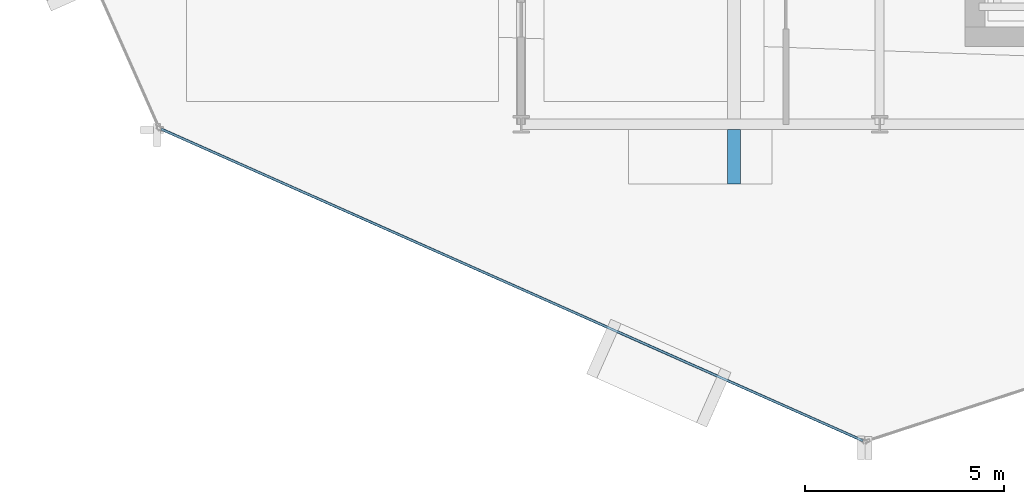
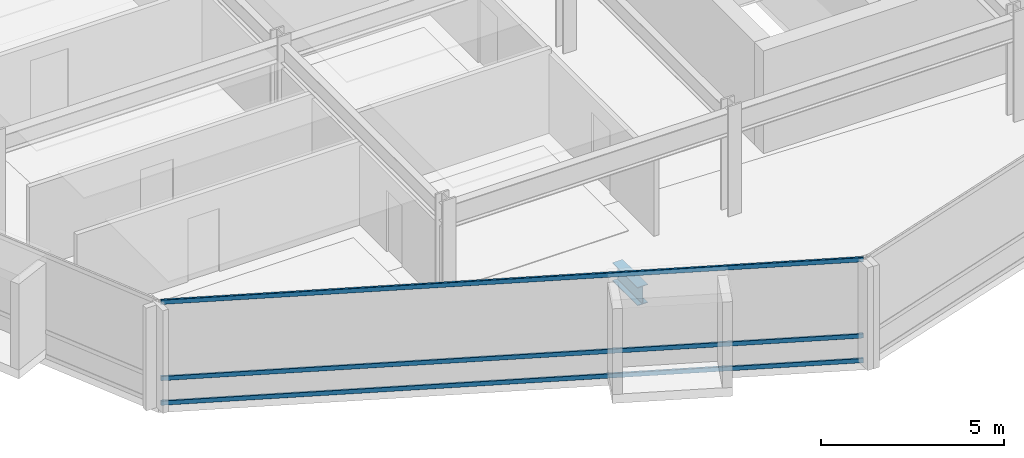
# One storey, part 3 of 29: 3 members, 1 beam, 1 element without a shape of its own.
"""IFC4 building model written with IfcOpenShell, lengths in metres."""

from ifc_helpers import new_model, si_unit, direction, frame, origin, origin_2d, place, context, subcontext, project, spatial, hollow_rectangle, i_section, extrude, material, layer, layer_set, material_profile, profile_set, type_object, element, aggregate, save


model = new_model("IFC4")

# Units and contexts
model_context = context("Model", 3, precision=1e-05, world=origin(), true_north=direction((0.0, 1.0)))
body_context = subcontext(model_context, "Body", "Model", "MODEL_VIEW")
ifc_project = project(units=[si_unit("LENGTHUNIT", "METRE"), si_unit("AREAUNIT", "SQUARE_METRE"), si_unit("VOLUMEUNIT", "CUBIC_METRE"), si_unit("PLANEANGLEUNIT", "RADIAN"), si_unit("MASSUNIT", "GRAM", prefix="KILO")], contexts=[model_context])

# Site, building, storey
site_placement = place(None, origin())
site = spatial("IfcSite", under=ifc_project, at=site_placement, CompositionType="ELEMENT")
building_placement = place(site_placement, origin())
building = spatial("IfcBuilding", under=site, at=building_placement, Name="Solvaryn Broadcast Tower", CompositionType="ELEMENT")
storey_placement = place(building_placement, frame((0.0, 0.0, 161.800048828125)))
storey = spatial("IfcBuildingStorey", under=building, at=storey_placement, Name="L40", CompositionType="ELEMENT", Elevation=161.800048828125)

# Beam
ifc_material_1 = material(Name="Steel ASTM A992 Grade 50", Category="steel")
ifc_material_profile_1 = material_profile(ifc_material_1, i_section(OverallWidth=0.323974609375, OverallDepth=0.611083984375, WebThickness=0.0126953125, FlangeThickness=0.01904296875, FilletRadius=0.014892578125, at=origin_2d()))
ifc_profile_set_1 = profile_set([ifc_material_profile_1], Name="Steel ASTM A992 Grade 50")
beam_type = type_object("IfcBeamType", Name="BM-CANT-TER", PredefinedType="BEAM", material=ifc_profile_set_1)
beam_placement = place(storey_placement, frame((23.35009765625, 8.875, -0.58544921875), z_axis=(0.0, -1.0, 0.0), x_axis=(1.0, 0.0, 0.0)))
element("IfcBeam", 1, at=beam_placement, inside=storey, type_object=beam_type, Name="L40 Bay-Box Cantilever Bracket 1", PredefinedType="BEAM", context=body_context, shape_type="SweptSolid", body=[
    extrude(i_section(OverallWidth=0.323974609375, OverallDepth=0.611083984375, WebThickness=0.0126953125, FlangeThickness=0.01904296875, FilletRadius=0.014892578125, at=origin_2d()), origin(), (0.0, 0.0, 1.0), 1.375),
])

# Curtain wall, members
ifc_material_2 = material(Name="Aluminium and Terracotta Unitised Curtain Wall", Category="masonry")
ifc_layer = layer(ifc_material_2, 0.199951171875)
ifc_layer_set = layer_set([ifc_layer], Name="CW-SYS2-LOWMID")
curtain_wall_type = type_object("IfcCurtainWallType", Name="CW-SYS2-LOWMID", PredefinedType="NOTDEFINED", material=ifc_layer_set)
curtain_wall_placement = place(storey_placement, origin())
curtain_wall = element("IfcCurtainWall", 2, at=curtain_wall_placement, inside=storey, type_object=curtain_wall_type, Name="L40 Curtain Wall DR3", PredefinedType="NOTDEFINED")
ifc_material_3 = material(Name="Anodised Aluminium 6063-T6", Category="aluminium")
ifc_material_profile_2 = material_profile(ifc_material_3, hollow_rectangle(XDim=0.06494140625, YDim=0.14990234375, WallThickness=0.00390625, InnerFilletRadius=0.00390625, OuterFilletRadius=0.008056640625, at=origin_2d()))
ifc_profile_set_2 = profile_set([ifc_material_profile_2], Name="Anodised Aluminium 6063-T6")
member_type = type_object("IfcMemberType", Name="CW-TRN-150", PredefinedType="USERDEFINED", material=ifc_profile_set_2)
member_1_placement = place(storey_placement, frame((8.962890625, 8.883544921875, 0.030029296875), z_axis=(0.913909703223, -0.405917546252, 0.0), x_axis=(0.405917546252, 0.913909703223, 0.0)))
member_1 = element("IfcMember", 3, at=member_1_placement, type_object=member_type, Name="CWS2 transom 1.1", ObjectType="TRANSOM", PredefinedType="USERDEFINED", context=body_context, shape_type="SweptSolid", body=[
    extrude(hollow_rectangle(XDim=0.06494140625, YDim=0.14990234375, WallThickness=0.00390625, InnerFilletRadius=0.00390625, OuterFilletRadius=0.008056640625, at=origin_2d()), origin(), (0.0, 0.0, 1.0), 19.27783203125),
])
member_2_placement = place(storey_placement, frame((8.962890625, 8.883544921875, 0.849853515625), z_axis=(0.913909703223, -0.405917546252, 0.0), x_axis=(0.405917546252, 0.913909703223, 0.0)))
member_2 = element("IfcMember", 4, at=member_2_placement, type_object=member_type, Name="CWS2 transom 1.2", ObjectType="TRANSOM", PredefinedType="USERDEFINED", context=body_context, shape_type="SweptSolid", body=[
    extrude(hollow_rectangle(XDim=0.06494140625, YDim=0.14990234375, WallThickness=0.00390625, InnerFilletRadius=0.00390625, OuterFilletRadius=0.008056640625, at=origin_2d()), origin(), (0.0, 0.0, 1.0), 19.27783203125),
])
member_3_placement = place(storey_placement, frame((8.962890625, 8.883544921875, 3.389892578125), z_axis=(0.913909703223, -0.405917546252, 0.0), x_axis=(0.405917546252, 0.913909703223, 0.0)))
member_3 = element("IfcMember", 5, at=member_3_placement, type_object=member_type, Name="CWS2 transom 1.3", ObjectType="TRANSOM", PredefinedType="USERDEFINED", context=body_context, shape_type="SweptSolid", body=[
    extrude(hollow_rectangle(XDim=0.06494140625, YDim=0.14990234375, WallThickness=0.00390625, InnerFilletRadius=0.00390625, OuterFilletRadius=0.008056640625, at=origin_2d()), origin(), (0.0, 0.0, 1.0), 19.27783203125),
])
aggregate(curtain_wall, [member_1, member_2, member_3])

save(model, "model.ifc")
